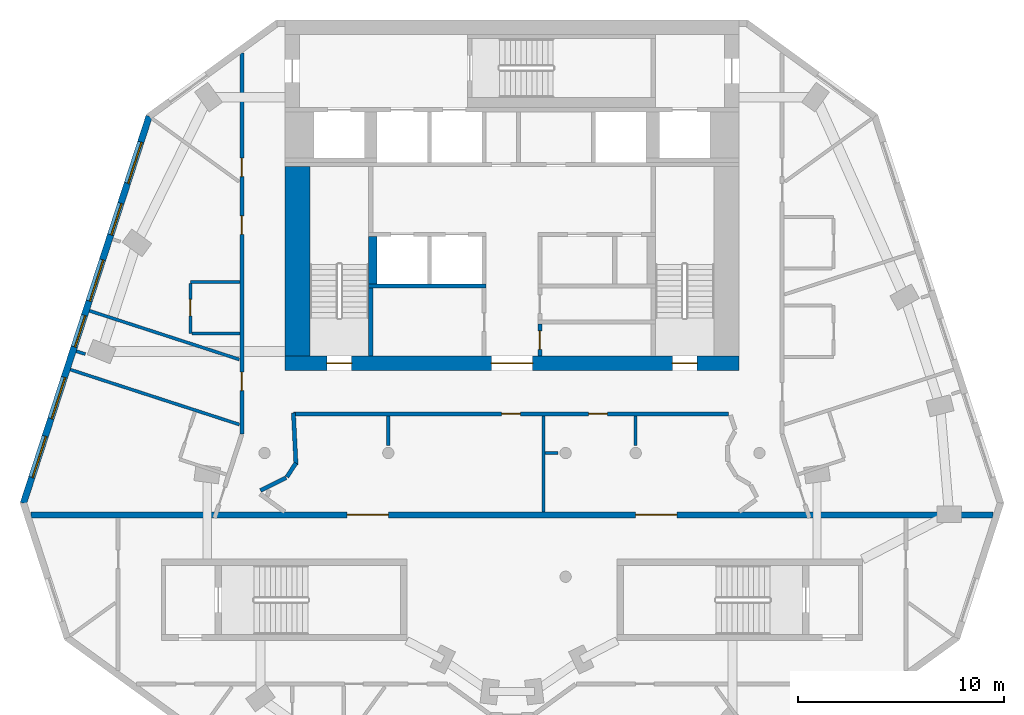
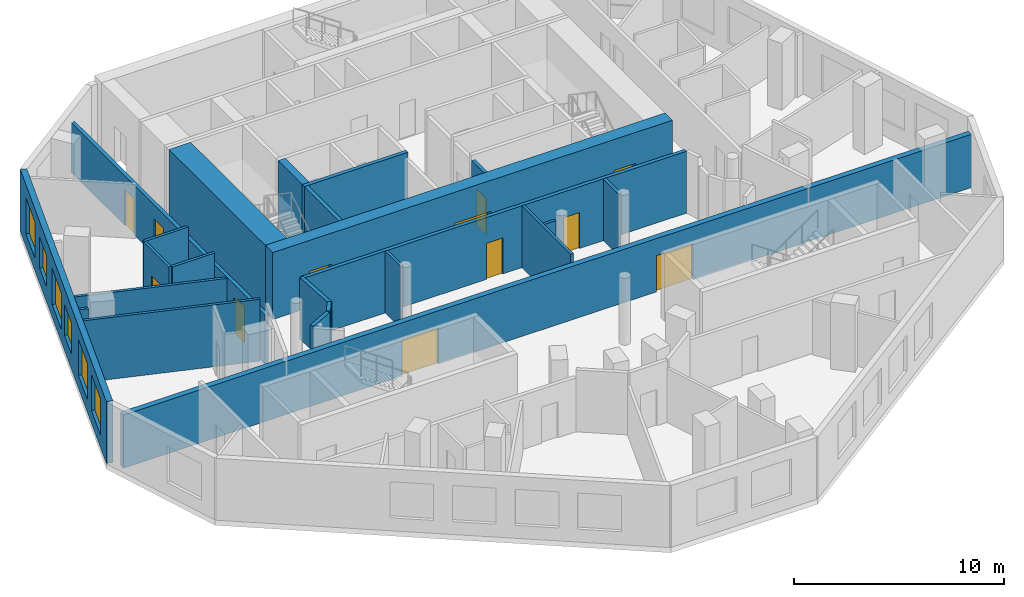
# One storey, part 3 of 9: 23 walls, 12 doors, 6 windows, 18 openings.
"""IFC4 building model written with IfcOpenShell, lengths in metres."""

import ifcopenshell
import ifcopenshell.guid

model = None  # the IFC model being written
_history = None  # IfcOwnerHistory: only IFC2X3 demands one
_inside = {}  # id of a spatial element -> (the spatial element, [elements in it])
_under = {}  # id of a project, library or spatial element -> (it, [spatial elements below it])
_declared = {}  # id of a project -> (the project, [libraries it declares])
_typed = {}  # id of a type object -> (the type object, [elements of that type])
_made_of = {}  # id of a material, layer set ... -> (it, [elements and type objects made of it])


def new_model(schema):
    """Start an empty IFC model of exactly this schema.

    Asked for "IFC4X3", IfcOpenShell would pick the latest addendum, in which some entities
    have other attributes; the version numbers below select the first issue.
    IFC2X3 requires an IfcOwnerHistory on every rooted entity: one is made here for all.
    """
    global model, _history
    if schema == "IFC4X3":
        model = ifcopenshell.file(schema_version=(4, 3, 0, 0))
    else:
        model = ifcopenshell.file(schema=schema)
    _inside.clear()
    _under.clear()
    _declared.clear()
    _typed.clear()
    _made_of.clear()
    _history = None
    if model.schema == "IFC2X3":
        org = make("IfcOrganization", Name="unknown")
        user = make(
            "IfcPersonAndOrganization",
            ThePerson=make("IfcPerson", FamilyName="unknown"),
            TheOrganization=org,
        )
        app = make(
            "IfcApplication",
            ApplicationDeveloper=org,
            Version="unknown",
            ApplicationFullName="unknown",
            ApplicationIdentifier="unknown",
        )
        _history = make(
            "IfcOwnerHistory",
            OwningUser=user,
            OwningApplication=app,
            ChangeAction="ADDED",
            CreationDate=0,
        )
    return model


def make(cls, **values):
    """One entity of the class cls with the attributes given. An attribute that is None is left unset."""
    return model.create_entity(
        cls, **{name: value for name, value in values.items() if value is not None}
    )


def rooted(cls, **values):
    """An entity with a GlobalId (a new one), such as an element, a storey or a relation."""
    return make(cls, GlobalId=ifcopenshell.guid.new(), OwnerHistory=_history, **values)


def si_unit(unit_type, name, prefix=None):
    """IfcSIUnit, for example si_unit("LENGTHUNIT", "METRE", prefix="MILLI")."""
    return make("IfcSIUnit", UnitType=unit_type, Prefix=prefix, Name=name)


def assignment(units):
    """IfcUnitAssignment: the units of a project."""
    return None if units is None else make("IfcUnitAssignment", Units=units)


def point(xyz):
    """IfcCartesianPoint."""
    return None if xyz is None else make("IfcCartesianPoint", Coordinates=xyz)


def direction(xyz):
    """IfcDirection."""
    return None if xyz is None else make("IfcDirection", DirectionRatios=xyz)


def frame(location, z_axis=None, x_axis=None):
    """IfcAxis2Placement3D, a coordinate frame: its origin and axes. An axis left out is left unset."""
    return make(
        "IfcAxis2Placement3D",
        Location=point(location),
        Axis=direction(z_axis),
        RefDirection=direction(x_axis),
    )


def frame_2d(location, x_axis=None):
    """IfcAxis2Placement2D, a coordinate frame in the plane: its origin and x axis."""
    return make(
        "IfcAxis2Placement2D", Location=point(location), RefDirection=direction(x_axis)
    )


def origin():
    """The frame at (0, 0, 0) with its axes left unset."""
    return frame((0.0, 0.0, 0.0))


def place(relative_to, where):
    """IfcLocalPlacement: puts the frame where relative to a parent placement (None: the world)."""
    return make(
        "IfcLocalPlacement", PlacementRelTo=relative_to, RelativePlacement=where
    )


def context(
    kind, dimensions, precision=None, world=None, true_north=None, identifier=None
):
    """IfcGeometricRepresentationContext, for example the 3D "Model" context."""
    return make(
        "IfcGeometricRepresentationContext",
        ContextIdentifier=identifier,
        ContextType=kind,
        CoordinateSpaceDimension=dimensions,
        Precision=precision,
        WorldCoordinateSystem=world,
        TrueNorth=true_north,
    )


def subcontext(parent, identifier, kind, view, scale=None):
    """IfcGeometricRepresentationSubContext, for example "Body" below "Model"."""
    return make(
        "IfcGeometricRepresentationSubContext",
        ContextIdentifier=identifier,
        ContextType=kind,
        ParentContext=parent,
        TargetScale=scale,
        TargetView=view,
    )


def project(units=None, contexts=None):
    """IfcProject with its units and contexts."""
    return rooted(
        "IfcProject",
        Name="project",
        RepresentationContexts=contexts,
        UnitsInContext=assignment(units),
    )


def spatial(cls, under=None, at=None, **own):
    """A site, building, storey or space (cls), placed at a placement, below another one or the project."""
    s = rooted(cls, ObjectPlacement=at, **own)
    if under is not None:
        _under.setdefault(under.id(), (under, []))[1].append(s)
    return s


def profile(cls, at=None, kind="AREA", **sizes):
    """A parametric profile (cls). Its sizes go by their IFC names, for example OverallWidth=200.0."""
    return make(cls, ProfileType=kind, Position=at, **sizes)


def rectangle(**sizes):
    """IfcRectangleProfileDef."""
    return profile("IfcRectangleProfileDef", **sizes)


def extrude(swept, where, along, depth):
    """IfcExtrudedAreaSolid: the profile swept, set in the frame where, extruded along a direction by depth."""
    return make(
        "IfcExtrudedAreaSolid",
        SweptArea=swept,
        Position=where,
        ExtrudedDirection=direction(along),
        Depth=depth,
    )


def shape(context_of_items, identifier, shape_type, items):
    """IfcShapeRepresentation: the items that make up one representation, for example the "Body"."""
    return make(
        "IfcShapeRepresentation",
        ContextOfItems=context_of_items,
        RepresentationIdentifier=identifier,
        RepresentationType=shape_type,
        Items=items,
    )


def material(Name=None, Category=None):
    """IfcMaterial."""
    return make("IfcMaterial", Name=Name, Category=Category)


def layer(
    of_material, thickness, ventilated=None, Name=None, Category=None, Priority=None
):
    """IfcMaterialLayer: one layer of a wall or slab, of a material (None: an air gap)."""
    return make(
        "IfcMaterialLayer",
        Material=of_material,
        LayerThickness=thickness,
        IsVentilated=ventilated,
        Name=Name,
        Category=Category,
        Priority=Priority,
    )


def layer_set(layers, Name=None):
    """IfcMaterialLayerSet."""
    return make("IfcMaterialLayerSet", MaterialLayers=layers, LayerSetName=Name)


def made_of(thing, what):
    """Note that an element or type object is made of a material, layer set ...; save() writes the relation."""
    if what is not None:
        _made_of.setdefault(what.id(), (what, []))[1].append(thing)
    return thing


def type_object(cls, material=None, **own):
    """A type object (cls), such as IfcWallType, which elements share."""
    return made_of(rooted(cls, **own), material)


def element(
    cls,
    number,
    at=None,
    inside=None,
    cuts=None,
    type_object=None,
    material=None,
    context=None,
    identifier="Body",
    shape_type=None,
    held_by="IfcProductDefinitionShape",
    body=None,
    shapes=None,
    **own,
):
    """One element of the class cls, such as IfcWall. Its Tag is "e" and its number.

    at: its placement. inside: the storey or other place that contains it. cuts: it is an
    opening in that element (IfcRelVoidsElement). A single representation is given by context,
    identifier, shape_type and body (its items); several are given by shapes. held_by: the class
    of the entity that holds the representations. save() writes the other relations.
    """
    e = rooted(cls, Tag="e%d" % number, ObjectPlacement=at, **own)
    if body is not None:
        shapes = [shape(context, identifier, shape_type, body)]
    if shapes is not None:
        e.Representation = make(held_by, Representations=shapes)
    if inside is not None:
        _inside.setdefault(inside.id(), (inside, []))[1].append(e)
    if cuts is not None:
        rooted(
            "IfcRelVoidsElement", RelatingBuildingElement=cuts, RelatedOpeningElement=e
        )
    if type_object is not None:
        _typed.setdefault(type_object.id(), (type_object, []))[1].append(e)
    return made_of(e, material)


def fill(opening, filler):
    """IfcRelFillsElement: the door or window that sits in an opening."""
    return rooted(
        "IfcRelFillsElement",
        RelatingOpeningElement=opening,
        RelatedBuildingElement=filler,
    )


def aggregate(whole, parts):
    """IfcRelAggregates: a whole, such as a stair, and the parts it consists of."""
    return rooted("IfcRelAggregates", RelatingObject=whole, RelatedObjects=parts)


def save(model, path):
    """Write the relations noted so far, then the file.

    IfcRelAggregates (storeys below a building ...), IfcRelContainedInSpatialStructure (elements
    in a storey), IfcRelDefinesByType, IfcRelAssociatesMaterial and IfcRelDeclares: one each for
    every whole, place, type object, material and project.
    """
    for whole, parts in _under.values():
        aggregate(whole, parts)
    for where, things in _inside.values():
        rooted(
            "IfcRelContainedInSpatialStructure",
            RelatedElements=things,
            RelatingStructure=where,
        )
    for kind, things in _typed.values():
        rooted("IfcRelDefinesByType", RelatedObjects=things, RelatingType=kind)
    for what, things in _made_of.values():
        rooted("IfcRelAssociatesMaterial", RelatedObjects=things, RelatingMaterial=what)
    for by, libraries in _declared.values():
        rooted("IfcRelDeclares", RelatingContext=by, RelatedDefinitions=libraries)
    model.write(path)


model = new_model("IFC4")

# Units and contexts
model_context = context("Model", 3, precision=1e-05, world=origin(), true_north=direction((0.0, 1.0)))
body_context = subcontext(model_context, "Body", "Model", "MODEL_VIEW")
ifc_project = project(units=[si_unit("LENGTHUNIT", "METRE"), si_unit("AREAUNIT", "SQUARE_METRE"), si_unit("VOLUMEUNIT", "CUBIC_METRE"), si_unit("PLANEANGLEUNIT", "RADIAN"), si_unit("MASSUNIT", "GRAM", prefix="KILO")], contexts=[model_context])

# Site, building, storey
site_placement = place(None, origin())
site = spatial("IfcSite", under=ifc_project, at=site_placement, CompositionType="ELEMENT")
building_placement = place(site_placement, origin())
building = spatial("IfcBuilding", under=site, at=building_placement, Name="White Candle Pilgrim Tower", CompositionType="ELEMENT")
storey_placement = place(building_placement, frame((0.0, 0.0, 252.199951171875)))
storey = spatial("IfcBuildingStorey", under=building, at=storey_placement, Name="L59", CompositionType="ELEMENT", Elevation=252.199951171875)

# Wall, openings, doors
ifc_material_1 = material(Name="Gypsum board on steel studs", Category="steel")
ifc_layer_1 = layer(ifc_material_1, 0.199951171875)
ifc_layer_set_1 = layer_set([ifc_layer_1], Name="Corridor wall 200 mm EI 45")
wall_type_1 = type_object("IfcWallType", Name="Corridor wall 200 mm EI 45", PredefinedType="PARTITIONING", material=ifc_layer_set_1)
wall_1_placement = place(storey_placement, frame((56.89990234375, 67.928466796875, 0.0), z_axis=(0.0, 0.0, 1.0), x_axis=(0.0, 1.0, 0.0)))
wall_1 = element("IfcWall", 1, at=wall_1_placement, inside=storey, type_object=wall_type_1, Name="WL-L59-P003", PredefinedType="PARTITIONING", context=body_context, shape_type="SweptSolid", body=[
    extrude(rectangle(XDim=18.4677734375, YDim=0.199951171875, at=frame_2d((9.23388671875, 0.0))), origin(), (0.0, 0.0, 1.0), 2.900146484375),
])
opening_1_placement = place(wall_1_placement, frame((2.0947265625, 0.0, 0.0)))
opening_1 = element("IfcOpeningElement", 2, at=opening_1_placement, cuts=wall_1, Name="Opening T18-118", PredefinedType="OPENING", context=body_context, shape_type="SweptSolid", body=[
    extrude(rectangle(XDim=0.89990234375, YDim=2.10009765625, at=frame_2d((0.449951171875, 1.050048828125))), frame((0.0, 0.10986328125, 0.0), z_axis=(0.0, -1.0, 0.0), x_axis=(1.0, 0.0, 0.0)), (0.0, 0.0, 1.0), 0.219970703125),
])
opening_2_placement = place(wall_1_placement, frame((9.6767578125, 0.0, 0.0)))
opening_2 = element("IfcOpeningElement", 3, at=opening_2_placement, cuts=wall_1, Name="Opening T18-119", PredefinedType="OPENING", context=body_context, shape_type="SweptSolid", body=[
    extrude(rectangle(XDim=0.89990234375, YDim=2.10009765625, at=frame_2d((0.449951171875, 1.050048828125))), frame((0.0, 0.10986328125, 0.0), z_axis=(0.0, -1.0, 0.0), x_axis=(1.0, 0.0, 0.0)), (0.0, 0.0, 1.0), 0.219970703125),
])
opening_3_placement = place(wall_1_placement, frame((12.4775390625, 0.0, 0.0)))
opening_3 = element("IfcOpeningElement", 4, at=opening_3_placement, cuts=wall_1, Name="Opening T18-120", PredefinedType="OPENING", context=body_context, shape_type="SweptSolid", body=[
    extrude(rectangle(XDim=0.89990234375, YDim=2.10009765625, at=frame_2d((0.449951171875, 1.050048828125))), frame((0.0, 0.10986328125, 0.0), z_axis=(0.0, -1.0, 0.0), x_axis=(1.0, 0.0, 0.0)), (0.0, 0.0, 1.0), 0.219970703125),
])
ifc_material_2 = material(Name="Steel door leaf", Category="steel")
door_type_1 = type_object("IfcDoorType", Name="Fire door 900 x 2100 EI 30", OperationType="NOTDEFINED", PredefinedType="DOOR", material=ifc_material_2)
door_1_placement = place(opening_1_placement, origin())
door_1 = element("IfcDoor", 5, at=door_1_placement, inside=storey, type_object=door_type_1, Name="Door T18-118", OperationType="SINGLE_SWING_RIGHT", OverallHeight=2.10009765625, OverallWidth=0.89990234375, PredefinedType="DOOR", context=body_context, shape_type="SweptSolid", body=[
    extrude(rectangle(XDim=0.89990234375, YDim=2.10009765625, at=frame_2d((0.449951171875, 1.050048828125))), frame((0.0, 0.02490234375, 0.0), z_axis=(0.0, -1.0, 0.0), x_axis=(1.0, 0.0, 0.0)), (0.0, 0.0, 1.0), 0.050048828125),
])
fill(opening_1, door_1)
door_2_placement = place(opening_2_placement, origin())
door_2 = element("IfcDoor", 6, at=door_2_placement, inside=storey, type_object=door_type_1, Name="Door T18-119", OperationType="SINGLE_SWING_LEFT", OverallHeight=2.10009765625, OverallWidth=0.89990234375, PredefinedType="DOOR", context=body_context, shape_type="SweptSolid", body=[
    extrude(rectangle(XDim=0.89990234375, YDim=2.10009765625, at=frame_2d((0.449951171875, 1.050048828125))), frame((0.0, 0.02490234375, 0.0), z_axis=(0.0, -1.0, 0.0), x_axis=(1.0, 0.0, 0.0)), (0.0, 0.0, 1.0), 0.050048828125),
])
fill(opening_2, door_2)
door_3_placement = place(opening_3_placement, origin())
door_3 = element("IfcDoor", 7, at=door_3_placement, inside=storey, type_object=door_type_1, Name="Door T18-120", OperationType="SINGLE_SWING_RIGHT", OverallHeight=2.10009765625, OverallWidth=0.89990234375, PredefinedType="DOOR", context=body_context, shape_type="SweptSolid", body=[
    extrude(rectangle(XDim=0.89990234375, YDim=2.10009765625, at=frame_2d((0.449951171875, 1.050048828125))), frame((0.0, 0.02490234375, 0.0), z_axis=(0.0, -1.0, 0.0), x_axis=(1.0, 0.0, 0.0)), (0.0, 0.0, 1.0), 0.050048828125),
])
fill(opening_3, door_3)

wall_2_placement = place(storey_placement, frame((80.498291015625, 68.89990234375, 0.0), z_axis=(0.0, 0.0, 1.0), x_axis=(-1.0, 0.0, 0.0)))
wall_2 = element("IfcWall", 8, at=wall_2_placement, inside=storey, type_object=wall_type_1, Name="WL-L59-P018", PredefinedType="PARTITIONING", context=body_context, shape_type="SweptSolid", body=[
    extrude(rectangle(XDim=21.09521484375, YDim=0.199951171875, at=frame_2d((10.547607421875, 0.0))), origin(), (0.0, 0.0, 1.0), 3.60009765625),
])
opening_4_placement = place(wall_2_placement, frame((5.878662109375, 0.0, 0.0)))
opening_4 = element("IfcOpeningElement", 9, at=opening_4_placement, cuts=wall_2, Name="Opening T18-125", PredefinedType="OPENING", context=body_context, shape_type="SweptSolid", body=[
    extrude(rectangle(XDim=0.89990234375, YDim=2.10009765625, at=frame_2d((0.449951171875, 1.050048828125))), frame((0.0, 0.10986328125, 0.0), z_axis=(0.0, -1.0, 0.0), x_axis=(1.0, 0.0, 0.0)), (0.0, 0.0, 1.0), 0.219970703125),
])
opening_5_placement = place(wall_2_placement, frame((10.09765625, 0.0, 0.0)))
opening_5 = element("IfcOpeningElement", 10, at=opening_5_placement, cuts=wall_2, Name="Opening T18-126", PredefinedType="OPENING", context=body_context, shape_type="SweptSolid", body=[
    extrude(rectangle(XDim=0.89990234375, YDim=2.10009765625, at=frame_2d((0.449951171875, 1.050048828125))), frame((0.0, 0.10986328125, 0.0), z_axis=(0.0, -1.0, 0.0), x_axis=(1.0, 0.0, 0.0)), (0.0, 0.0, 1.0), 0.219970703125),
])
door_4_placement = place(opening_4_placement, origin())
door_4 = element("IfcDoor", 11, at=door_4_placement, inside=storey, type_object=door_type_1, Name="Door T18-125", OperationType="SINGLE_SWING_LEFT", OverallHeight=2.10009765625, OverallWidth=0.89990234375, PredefinedType="DOOR", context=body_context, shape_type="SweptSolid", body=[
    extrude(rectangle(XDim=0.89990234375, YDim=2.10009765625, at=frame_2d((0.449951171875, 1.050048828125))), frame((0.0, 0.02490234375, 0.0), z_axis=(0.0, -1.0, 0.0), x_axis=(1.0, 0.0, 0.0)), (0.0, 0.0, 1.0), 0.050048828125),
])
fill(opening_4, door_4)
door_5_placement = place(opening_5_placement, origin())
door_5 = element("IfcDoor", 12, at=door_5_placement, inside=storey, type_object=door_type_1, Name="Door T18-126", OperationType="SINGLE_SWING_RIGHT", OverallHeight=2.10009765625, OverallWidth=0.89990234375, PredefinedType="DOOR", context=body_context, shape_type="SweptSolid", body=[
    extrude(rectangle(XDim=0.89990234375, YDim=2.10009765625, at=frame_2d((0.449951171875, 1.050048828125))), frame((0.0, 0.02490234375, 0.0), z_axis=(0.0, -1.0, 0.0), x_axis=(1.0, 0.0, 0.0)), (0.0, 0.0, 1.0), 0.050048828125),
])
fill(opening_5, door_5)

# Walls
wall_3_placement = place(storey_placement, frame((59.400634765625, 68.95068359375, 0.0), z_axis=(0.0, 0.0, 1.0), x_axis=(0.04896364113, -0.998800561597, 0.0)))
element("IfcWall", 13, at=wall_3_placement, inside=storey, type_object=wall_type_1, Name="WL-L59-P019", PredefinedType="PARTITIONING", context=body_context, shape_type="SweptSolid", body=[
    extrude(rectangle(XDim=2.537841796875, YDim=0.199951171875, at=frame_2d((1.26904296875, 0.0))), origin(), (0.0, 0.0, 1.0), 3.60009765625),
])
wall_4_placement = place(storey_placement, frame((59.52001953125, 66.5126953125, 0.0), z_axis=(0.0, 0.0, 1.0), x_axis=(-0.543705102189, -0.839276332238, 0.0)))
element("IfcWall", 14, at=wall_4_placement, inside=storey, type_object=wall_type_1, Name="WL-L59-P020", PredefinedType="PARTITIONING", context=body_context, shape_type="SweptSolid", body=[
    extrude(rectangle(XDim=0.802978515625, YDim=0.199951171875, at=frame_2d((0.4013671875, 0.0))), origin(), (0.0, 0.0, 1.0), 3.60009765625),
])
wall_5_placement = place(storey_placement, frame((59.044189453125, 65.8037109375, 0.0), z_axis=(0.0, 0.0, 1.0), x_axis=(-0.894883208543, -0.44630039555, 0.0)))
element("IfcWall", 15, at=wall_5_placement, inside=storey, type_object=wall_type_1, Name="WL-L59-P021", PredefinedType="PARTITIONING", context=body_context, shape_type="SweptSolid", body=[
    extrude(rectangle(XDim=1.390625, YDim=0.199951171875, at=frame_2d((0.6953125, 0.0))), origin(), (0.0, 0.0, 1.0), 3.60009765625),
])

# Wall, openings, windows
ifc_material_3 = material(Name="Precast concrete C40/50", Category="concrete")
ifc_layer_2 = layer(ifc_material_3, 0.320068359375)
ifc_layer_set_2 = layer_set([ifc_layer_2], Name="Facade wall EW1 precast concrete C40/50 pier wall with timber-lined reveals")
wall_type_2 = type_object("IfcWallType", Name="Facade wall EW1 precast concrete C40/50 pier wall with timber-lined reveals", PredefinedType="SOLIDWALL", material=ifc_layer_set_2)
wall_6_placement = place(storey_placement, frame((52.4033203125, 83.326904296875, 0.0), z_axis=(0.0, 0.0, 1.0), x_axis=(-0.309025614403, -0.951053715435, 0.0)))
wall_6 = element("IfcWall", 16, at=wall_6_placement, inside=storey, type_object=wall_type_2, Name="Facade wall L59 WNW", PredefinedType="SOLIDWALL", context=body_context, shape_type="SweptSolid", body=[
    extrude(rectangle(XDim=19.72314453125, YDim=0.320068359375, at=frame_2d((9.861572265625, 0.0))), origin(), (0.0, 0.0, 1.0), 3.60009765625),
])
opening_6_placement = place(wall_6_placement, frame((1.3115234375, 0.0, 0.75)))
opening_6 = element("IfcOpeningElement", 17, at=opening_6_placement, cuts=wall_6, Name="Opening W3", PredefinedType="OPENING", context=body_context, shape_type="SweptSolid", body=[
    extrude(rectangle(XDim=2.10009765625, YDim=2.10009765625, at=frame_2d((1.050048828125, 1.050048828125))), frame((0.0, 0.169921875, 0.0), z_axis=(0.0, -1.0, 0.0), x_axis=(1.0, 0.0, 0.0)), (0.0, 0.0, 1.0), 0.340087890625),
])
opening_7_placement = place(wall_6_placement, frame((4.439208984375, 0.0, 0.89990234375)))
opening_7 = element("IfcOpeningElement", 18, at=opening_7_placement, cuts=wall_6, Name="Opening W2", PredefinedType="OPENING", context=body_context, shape_type="SweptSolid", body=[
    extrude(rectangle(XDim=1.60009765625, YDim=1.800048828125, at=frame_2d((0.800048828125, 0.89990234375))), frame((0.0, 0.169921875, 0.0), z_axis=(0.0, -1.0, 0.0), x_axis=(1.0, 0.0, 0.0)), (0.0, 0.0, 1.0), 0.340087890625),
])
opening_8_placement = place(wall_6_placement, frame((7.3115234375, 0.0, 0.75)))
opening_8 = element("IfcOpeningElement", 19, at=opening_8_placement, cuts=wall_6, Name="Opening W3", PredefinedType="OPENING", context=body_context, shape_type="SweptSolid", body=[
    extrude(rectangle(XDim=2.10009765625, YDim=2.10009765625, at=frame_2d((1.050048828125, 1.050048828125))), frame((0.0, 0.169921875, 0.0), z_axis=(0.0, -1.0, 0.0), x_axis=(1.0, 0.0, 0.0)), (0.0, 0.0, 1.0), 0.340087890625),
])
opening_9_placement = place(wall_6_placement, frame((10.14794921875, 0.0, 0.89990234375)))
opening_9 = element("IfcOpeningElement", 20, at=opening_9_placement, cuts=wall_6, Name="Opening W2", PredefinedType="OPENING", context=body_context, shape_type="SweptSolid", body=[
    extrude(rectangle(XDim=1.60009765625, YDim=1.800048828125, at=frame_2d((0.800048828125, 0.89990234375))), frame((0.0, 0.169921875, 0.0), z_axis=(0.0, -1.0, 0.0), x_axis=(1.0, 0.0, 0.0)), (0.0, 0.0, 1.0), 0.340087890625),
])
opening_10_placement = place(wall_6_placement, frame((13.3115234375, 0.0, 0.75)))
opening_10 = element("IfcOpeningElement", 21, at=opening_10_placement, cuts=wall_6, Name="Opening W3", PredefinedType="OPENING", context=body_context, shape_type="SweptSolid", body=[
    extrude(rectangle(XDim=2.10009765625, YDim=2.10009765625, at=frame_2d((1.050048828125, 1.050048828125))), frame((0.0, 0.169921875, 0.0), z_axis=(0.0, -1.0, 0.0), x_axis=(1.0, 0.0, 0.0)), (0.0, 0.0, 1.0), 0.340087890625),
])
opening_11_placement = place(wall_6_placement, frame((16.3115234375, 0.0, 0.75)))
opening_11 = element("IfcOpeningElement", 22, at=opening_11_placement, cuts=wall_6, Name="Opening W3", PredefinedType="OPENING", context=body_context, shape_type="SweptSolid", body=[
    extrude(rectangle(XDim=2.10009765625, YDim=2.10009765625, at=frame_2d((1.050048828125, 1.050048828125))), frame((0.0, 0.169921875, 0.0), z_axis=(0.0, -1.0, 0.0), x_axis=(1.0, 0.0, 0.0)), (0.0, 0.0, 1.0), 0.340087890625),
])
ifc_material_4 = material(Name="Timber frame with triple glazing", Category="wood")
window_type_1 = type_object("IfcWindowType", Name="Window W2 1600x1800 timber frame triple glazing", PartitioningType="SINGLE_PANEL", PredefinedType="WINDOW", material=ifc_material_4)
window_1_placement = place(opening_7_placement, origin())
window_1 = element("IfcWindow", 23, at=window_1_placement, inside=storey, type_object=window_type_1, Name="Window W2 L59 WNW 2", OverallHeight=1.800048828125, OverallWidth=1.60009765625, PartitioningType="SINGLE_PANEL", PredefinedType="WINDOW", context=body_context, shape_type="SweptSolid", body=[
    extrude(rectangle(XDim=1.60009765625, YDim=1.800048828125, at=frame_2d((0.800048828125, 0.89990234375))), frame((0.0, 0.070068359375, 0.0), z_axis=(0.0, -1.0, 0.0), x_axis=(1.0, 0.0, 0.0)), (0.0, 0.0, 1.0), 0.06005859375),
])
fill(opening_7, window_1)
window_2_placement = place(opening_9_placement, origin())
window_2 = element("IfcWindow", 24, at=window_2_placement, inside=storey, type_object=window_type_1, Name="Window W2 L59 WNW 4", OverallHeight=1.800048828125, OverallWidth=1.60009765625, PartitioningType="SINGLE_PANEL", PredefinedType="WINDOW", context=body_context, shape_type="SweptSolid", body=[
    extrude(rectangle(XDim=1.60009765625, YDim=1.800048828125, at=frame_2d((0.800048828125, 0.89990234375))), frame((0.0, 0.070068359375, 0.0), z_axis=(0.0, -1.0, 0.0), x_axis=(1.0, 0.0, 0.0)), (0.0, 0.0, 1.0), 0.06005859375),
])
fill(opening_9, window_2)
window_type_2 = type_object("IfcWindowType", Name="Window W3 2100x2100 timber frame triple glazing", PartitioningType="SINGLE_PANEL", PredefinedType="WINDOW", material=ifc_material_4)
window_3_placement = place(opening_6_placement, origin())
window_3 = element("IfcWindow", 25, at=window_3_placement, inside=storey, type_object=window_type_2, Name="Window W3 L59 WNW 1", OverallHeight=2.10009765625, OverallWidth=2.10009765625, PartitioningType="SINGLE_PANEL", PredefinedType="WINDOW", context=body_context, shape_type="SweptSolid", body=[
    extrude(rectangle(XDim=2.10009765625, YDim=2.10009765625, at=frame_2d((1.050048828125, 1.050048828125))), frame((0.0, 0.070068359375, 0.0), z_axis=(0.0, -1.0, 0.0), x_axis=(1.0, 0.0, 0.0)), (0.0, 0.0, 1.0), 0.06005859375),
])
fill(opening_6, window_3)
window_4_placement = place(opening_8_placement, origin())
window_4 = element("IfcWindow", 26, at=window_4_placement, inside=storey, type_object=window_type_2, Name="Window W3 L59 WNW 3", OverallHeight=2.10009765625, OverallWidth=2.10009765625, PartitioningType="SINGLE_PANEL", PredefinedType="WINDOW", context=body_context, shape_type="SweptSolid", body=[
    extrude(rectangle(XDim=2.10009765625, YDim=2.10009765625, at=frame_2d((1.050048828125, 1.050048828125))), frame((0.0, 0.070068359375, 0.0), z_axis=(0.0, -1.0, 0.0), x_axis=(1.0, 0.0, 0.0)), (0.0, 0.0, 1.0), 0.06005859375),
])
fill(opening_8, window_4)
window_5_placement = place(opening_10_placement, origin())
window_5 = element("IfcWindow", 27, at=window_5_placement, inside=storey, type_object=window_type_2, Name="Window W3 L59 WNW 5", OverallHeight=2.10009765625, OverallWidth=2.10009765625, PartitioningType="SINGLE_PANEL", PredefinedType="WINDOW", context=body_context, shape_type="SweptSolid", body=[
    extrude(rectangle(XDim=2.10009765625, YDim=2.10009765625, at=frame_2d((1.050048828125, 1.050048828125))), frame((0.0, 0.070068359375, 0.0), z_axis=(0.0, -1.0, 0.0), x_axis=(1.0, 0.0, 0.0)), (0.0, 0.0, 1.0), 0.06005859375),
])
fill(opening_10, window_5)
window_6_placement = place(opening_11_placement, origin())
window_6 = element("IfcWindow", 28, at=window_6_placement, inside=storey, type_object=window_type_2, Name="Window W3 L59 WNW 6", OverallHeight=2.10009765625, OverallWidth=2.10009765625, PartitioningType="SINGLE_PANEL", PredefinedType="WINDOW", context=body_context, shape_type="SweptSolid", body=[
    extrude(rectangle(XDim=2.10009765625, YDim=2.10009765625, at=frame_2d((1.050048828125, 1.050048828125))), frame((0.0, 0.070068359375, 0.0), z_axis=(0.0, -1.0, 0.0), x_axis=(1.0, 0.0, 0.0)), (0.0, 0.0, 1.0), 0.06005859375),
])
fill(opening_11, window_6)

# Wall, openings, doors
ifc_material_5 = material(Name="Aerated concrete block", Category="concrete")
ifc_layer_3 = layer(ifc_material_5, 0.300048828125)
ifc_layer_set_3 = layer_set([ifc_layer_3], Name="Fire wall 300 mm REI 240")
wall_type_3 = type_object("IfcWallType", Name="Fire wall 300 mm REI 240", PredefinedType="PARTITIONING", material=ifc_layer_set_3)
wall_7_placement = place(storey_placement, frame((46.66162109375, 64.0, 0.0), z_axis=(0.0, 0.0, 1.0), x_axis=(1.0, 0.0, 0.0)))
wall_7 = element("IfcWall", 29, at=wall_7_placement, inside=storey, type_object=wall_type_3, Name="WL-L59-P001", PredefinedType="PARTITIONING", context=body_context, shape_type="SweptSolid", body=[
    extrude(rectangle(XDim=46.6767578125, YDim=0.300048828125, at=frame_2d((23.33837890625, 0.0))), origin(), (0.0, 0.0, 1.0), 3.10009765625),
])
opening_12_placement = place(wall_7_placement, frame((15.337646484375, 0.0, 0.0)))
opening_12 = element("IfcOpeningElement", 30, at=opening_12_placement, cuts=wall_7, Name="Opening T18-115", PredefinedType="OPENING", context=body_context, shape_type="SweptSolid", body=[
    extrude(rectangle(XDim=2.0, YDim=2.10009765625, at=frame_2d((1.0, 1.050048828125))), frame((0.0, 0.159912109375, 0.0), z_axis=(0.0, -1.0, 0.0), x_axis=(1.0, 0.0, 0.0)), (0.0, 0.0, 1.0), 0.320068359375),
])
opening_13_placement = place(wall_7_placement, frame((29.339111328125, 0.0, 0.0)))
opening_13 = element("IfcOpeningElement", 31, at=opening_13_placement, cuts=wall_7, Name="Opening T18-116", PredefinedType="OPENING", context=body_context, shape_type="SweptSolid", body=[
    extrude(rectangle(XDim=2.0, YDim=2.10009765625, at=frame_2d((1.0, 1.050048828125))), frame((0.0, 0.159912109375, 0.0), z_axis=(0.0, -1.0, 0.0), x_axis=(1.0, 0.0, 0.0)), (0.0, 0.0, 1.0), 0.320068359375),
])
door_type_2 = type_object("IfcDoorType", Name="Fire door 2000 x 2100 EI 60", OperationType="NOTDEFINED", PredefinedType="DOOR", material=ifc_material_2)
door_6_placement = place(opening_12_placement, origin())
door_6 = element("IfcDoor", 32, at=door_6_placement, inside=storey, type_object=door_type_2, Name="Door T18-115", OperationType="DOUBLE_DOOR_SINGLE_SWING", OverallHeight=2.10009765625, OverallWidth=2.0, PredefinedType="DOOR", context=body_context, shape_type="SweptSolid", body=[
    extrude(rectangle(XDim=2.0, YDim=2.10009765625, at=frame_2d((1.0, 1.050048828125))), frame((0.0, 0.02490234375, 0.0), z_axis=(0.0, -1.0, 0.0), x_axis=(1.0, 0.0, 0.0)), (0.0, 0.0, 1.0), 0.050048828125),
])
fill(opening_12, door_6)
door_7_placement = place(opening_13_placement, origin())
door_7 = element("IfcDoor", 33, at=door_7_placement, inside=storey, type_object=door_type_2, Name="Door T18-116", OperationType="DOUBLE_DOOR_SINGLE_SWING", OverallHeight=2.10009765625, OverallWidth=2.0, PredefinedType="DOOR", context=body_context, shape_type="SweptSolid", body=[
    extrude(rectangle(XDim=2.0, YDim=2.10009765625, at=frame_2d((1.0, 1.050048828125))), frame((0.0, 0.02490234375, 0.0), z_axis=(0.0, -1.0, 0.0), x_axis=(1.0, 0.0, 0.0)), (0.0, 0.0, 1.0), 0.050048828125),
])
fill(opening_13, door_7)

# Wall, opening, door
ifc_layer_4 = layer(ifc_material_1, 0.199951171875)
ifc_layer_set_4 = layer_set([ifc_layer_4], Name="Lobby wall 200 mm EI 60")
wall_type_4 = type_object("IfcWallType", Name="Lobby wall 200 mm EI 60", PredefinedType="PARTITIONING", material=ifc_layer_set_4)
wall_8_placement = place(storey_placement, frame((71.35009765625, 71.699951171875, 0.0), z_axis=(0.0, 0.0, 1.0), x_axis=(0.0, 1.0, 0.0)))
wall_8 = element("IfcWall", 34, at=wall_8_placement, inside=storey, type_object=wall_type_4, Name="WL-L59-C15", PredefinedType="PARTITIONING", context=body_context, shape_type="SweptSolid", body=[
    extrude(rectangle(XDim=1.550048828125, YDim=0.199951171875, at=frame_2d((0.77490234375, 0.0))), origin(), (0.0, 0.0, 1.0), 3.60009765625),
])
opening_14_placement = place(wall_8_placement, frame((0.324951171875, 0.0, 0.0)))
opening_14 = element("IfcOpeningElement", 35, at=opening_14_placement, cuts=wall_8, Name="Opening T18-006", PredefinedType="OPENING", context=body_context, shape_type="SweptSolid", body=[
    extrude(rectangle(XDim=0.89990234375, YDim=2.10009765625, at=frame_2d((0.449951171875, 1.050048828125))), frame((0.0, 0.10986328125, 0.0), z_axis=(0.0, -1.0, 0.0), x_axis=(1.0, 0.0, 0.0)), (0.0, 0.0, 1.0), 0.219970703125),
])
door_8_placement = place(opening_14_placement, origin())
door_8 = element("IfcDoor", 36, at=door_8_placement, inside=storey, type_object=door_type_1, Name="Door T18-006", OperationType="SINGLE_SWING_RIGHT", OverallHeight=2.10009765625, OverallWidth=0.89990234375, PredefinedType="DOOR", context=body_context, shape_type="SweptSolid", body=[
    extrude(rectangle(XDim=0.89990234375, YDim=2.10009765625, at=frame_2d((0.449951171875, 1.050048828125))), frame((0.0, 0.02490234375, 0.0), z_axis=(0.0, -1.0, 0.0), x_axis=(1.0, 0.0, 0.0)), (0.0, 0.0, 1.0), 0.050048828125),
])
fill(opening_14, door_8)

# Walls
ifc_layer_5 = layer(ifc_material_1, 0.14990234375)
ifc_layer_set_5 = layer_set([ifc_layer_5], Name="Partition 150 mm EI 60")
wall_type_5 = type_object("IfcWallType", Name="Partition 150 mm EI 60", PredefinedType="PARTITIONING", material=ifc_layer_set_5)
wall_9_placement = place(storey_placement, frame((49.508056640625, 73.898681640625, 0.0), z_axis=(0.0, 0.0, 1.0), x_axis=(0.951054958968, -0.309021787293, 0.0)))
element("IfcWall", 37, at=wall_9_placement, inside=storey, type_object=wall_type_5, Name="WL-L59-P031", PredefinedType="PARTITIONING", context=body_context, shape_type="SweptSolid", body=[
    extrude(rectangle(XDim=7.642822265625, YDim=0.14990234375, at=frame_2d((3.8212890625, 0.0))), origin(), (0.0, 0.0, 1.0), 2.900146484375),
])
wall_10_placement = place(storey_placement, frame((48.5810546875, 71.04541015625, 0.0), z_axis=(0.0, 0.0, 1.0), x_axis=(0.951052804469, -0.309028417967, 0.0)))
element("IfcWall", 38, at=wall_10_placement, inside=storey, type_object=wall_type_5, Name="WL-L59-P032", PredefinedType="PARTITIONING", context=body_context, shape_type="SweptSolid", body=[
    extrude(rectangle(XDim=8.61767578125, YDim=0.14990234375, at=frame_2d((4.308837890625, 0.0))), origin(), (0.0, 0.0, 1.0), 3.60009765625),
])
wall_11_placement = place(storey_placement, frame((56.800048828125, 75.296875, 0.0), z_axis=(0.0, 0.0, 1.0), x_axis=(-1.0, 0.0, 0.0)))
element("IfcWall", 39, at=wall_11_placement, inside=storey, type_object=wall_type_5, Name="WL-L59-P033", PredefinedType="PARTITIONING", context=body_context, shape_type="SweptSolid", body=[
    extrude(rectangle(XDim=2.400146484375, YDim=0.14990234375, at=frame_2d((1.2001953125, 0.0))), origin(), (0.0, 0.0, 1.0), 3.60009765625),
])

# Wall, opening, door
wall_12_placement = place(storey_placement, frame((54.39990234375, 72.796875, 0.0), z_axis=(0.0, 0.0, 1.0), x_axis=(0.0, 1.0, 0.0)))
wall_12 = element("IfcWall", 40, at=wall_12_placement, inside=storey, type_object=wall_type_5, Name="WL-L59-P034", PredefinedType="PARTITIONING", context=body_context, shape_type="SweptSolid", body=[
    extrude(rectangle(XDim=2.4248046875, YDim=0.14990234375, at=frame_2d((1.21240234375, 0.0))), origin(), (0.0, 0.0, 1.0), 3.60009765625),
])
opening_15_placement = place(wall_12_placement, frame((0.85009765625, 0.0, 0.0)))
opening_15 = element("IfcOpeningElement", 41, at=opening_15_placement, cuts=wall_12, Name="Opening T18-101", PredefinedType="OPENING", context=body_context, shape_type="SweptSolid", body=[
    extrude(rectangle(XDim=0.800048828125, YDim=2.10009765625, at=frame_2d((0.39990234375, 1.050048828125))), frame((0.0, 0.0849609375, 0.0), z_axis=(0.0, -1.0, 0.0), x_axis=(1.0, 0.0, 0.0)), (0.0, 0.0, 1.0), 0.169921875),
])
door_type_3 = type_object("IfcDoorType", Name="Fire door 800 x 2100 EI 30", OperationType="NOTDEFINED", PredefinedType="DOOR", material=ifc_material_2)
door_9_placement = place(opening_15_placement, origin())
door_9 = element("IfcDoor", 42, at=door_9_placement, inside=storey, type_object=door_type_3, Name="Door T18-101", OperationType="SINGLE_SWING_LEFT", OverallHeight=2.10009765625, OverallWidth=0.800048828125, PredefinedType="DOOR", context=body_context, shape_type="SweptSolid", body=[
    extrude(rectangle(XDim=0.800048828125, YDim=2.10009765625, at=frame_2d((0.39990234375, 1.050048828125))), frame((0.0, 0.02490234375, 0.0), z_axis=(0.0, -1.0, 0.0), x_axis=(1.0, 0.0, 0.0)), (0.0, 0.0, 1.0), 0.050048828125),
])
fill(opening_15, door_9)

# Walls
wall_13_placement = place(storey_placement, frame((56.800048828125, 72.796875, 0.0), z_axis=(0.0, 0.0, 1.0), x_axis=(-1.0, 0.0, 0.0)))
element("IfcWall", 43, at=wall_13_placement, inside=storey, type_object=wall_type_5, Name="WL-L59-P035", PredefinedType="PARTITIONING", context=body_context, shape_type="SweptSolid", body=[
    extrude(rectangle(XDim=2.324951171875, YDim=0.14990234375, at=frame_2d((1.16259765625, 0.0))), origin(), (0.0, 0.0, 1.0), 3.60009765625),
])
wall_14_placement = place(storey_placement, frame((71.51904296875, 64.14990234375, 0.0), z_axis=(0.0, 0.0, 1.0), x_axis=(0.0, 1.0, 0.0)))
element("IfcWall", 44, at=wall_14_placement, inside=storey, type_object=wall_type_5, Name="WL-L59-P055", PredefinedType="PARTITIONING", context=body_context, shape_type="SweptSolid", body=[
    extrude(rectangle(XDim=4.650146484375, YDim=0.14990234375, at=frame_2d((2.3251953125, 0.0))), origin(), (0.0, 0.0, 1.0), 3.60009765625),
])
wall_15_placement = place(storey_placement, frame((49.308349609375, 71.7958984375, 0.0), z_axis=(0.0, 0.0, 1.0), x_axis=(-0.951045774968, 0.309050050827, 0.0)))
element("IfcWall", 45, at=wall_15_placement, inside=storey, type_object=wall_type_5, Name="WL-L59-P060", PredefinedType="PARTITIONING", context=body_context, shape_type="SweptSolid", body=[
    extrude(rectangle(XDim=0.459716796875, YDim=0.14990234375, at=frame_2d((0.22998046875, 0.0))), origin(), (0.0, 0.0, 1.0), 3.60009765625),
])
wall_16_placement = place(storey_placement, frame((63.997802734375, 67.364990234375, 0.0), z_axis=(0.0, 0.0, 1.0), x_axis=(0.0, 1.0, 0.0)))
element("IfcWall", 46, at=wall_16_placement, inside=storey, type_object=wall_type_5, Name="WL-L59-P061", PredefinedType="PARTITIONING", context=body_context, shape_type="SweptSolid", body=[
    extrude(rectangle(XDim=1.43505859375, YDim=0.14990234375, at=frame_2d((0.717529296875, 0.0))), origin(), (0.0, 0.0, 1.0), 3.60009765625),
])
wall_17_placement = place(storey_placement, frame((72.235107421875, 66.997802734375, 0.0), z_axis=(0.0, 0.0, 1.0), x_axis=(-1.0, 0.0, 0.0)))
element("IfcWall", 47, at=wall_17_placement, inside=storey, type_object=wall_type_5, Name="WL-L59-P062", PredefinedType="PARTITIONING", context=body_context, shape_type="SweptSolid", body=[
    extrude(rectangle(XDim=0.64111328125, YDim=0.14990234375, at=frame_2d((0.320556640625, 0.0))), origin(), (0.0, 0.0, 1.0), 3.60009765625),
])
wall_18_placement = place(storey_placement, frame((75.997802734375, 67.364990234375, 0.0), z_axis=(0.0, 0.0, 1.0), x_axis=(0.0, 1.0, 0.0)))
element("IfcWall", 48, at=wall_18_placement, inside=storey, type_object=wall_type_5, Name="WL-L59-P063", PredefinedType="PARTITIONING", context=body_context, shape_type="SweptSolid", body=[
    extrude(rectangle(XDim=1.43505859375, YDim=0.14990234375, at=frame_2d((0.717529296875, 0.0))), origin(), (0.0, 0.0, 1.0), 3.60009765625),
])
ifc_material_6 = material(Name="Concrete C50/60", Category="concrete")
ifc_layer_6 = layer(ifc_material_6, 1.199951171875)
ifc_layer_set_6 = layer_set([ifc_layer_6], Name="Stair shaft wall 1200 mm Concrete C50/60")
wall_type_6 = type_object("IfcWallType", Name="Stair shaft wall 1200 mm Concrete C50/60", PredefinedType="SHEAR", material=ifc_layer_set_6)
wall_19_placement = place(storey_placement, frame((59.60009765625, 71.699951171875, 0.0), z_axis=(0.0, 0.0, 1.0), x_axis=(0.0, 1.0, 0.0)))
element("IfcWall", 49, at=wall_19_placement, inside=storey, type_object=wall_type_6, Name="WL-L59-C12", PredefinedType="SHEAR", context=body_context, shape_type="SweptSolid", body=[
    extrude(rectangle(XDim=9.199951171875, YDim=1.199951171875, at=frame_2d((4.60009765625, 0.0))), origin(), (0.0, 0.0, 1.0), 3.900146484375),
])
ifc_layer_7 = layer(ifc_material_6, 0.199951171875)
ifc_layer_set_7 = layer_set([ifc_layer_7], Name="Stair shaft wall 200 mm Concrete C50/60")
wall_type_7 = type_object("IfcWallType", Name="Stair shaft wall 200 mm Concrete C50/60", PredefinedType="SHEAR", material=ifc_layer_set_7)
wall_20_placement = place(storey_placement, frame((63.14990234375, 71.699951171875, 0.0), z_axis=(0.0, 0.0, 1.0), x_axis=(0.0, 1.0, 0.0)))
element("IfcWall", 50, at=wall_20_placement, inside=storey, type_object=wall_type_7, Name="WL-L59-C13", PredefinedType="SHEAR", context=body_context, shape_type="SweptSolid", body=[
    extrude(rectangle(XDim=3.300048828125, YDim=0.199951171875, at=frame_2d((1.64990234375, 0.0))), origin(), (0.0, 0.0, 1.0), 3.900146484375),
])
wall_21_placement = place(storey_placement, frame((63.050048828125, 75.10009765625, 0.0), z_axis=(0.0, 0.0, 1.0), x_axis=(1.0, 0.0, 0.0)))
element("IfcWall", 51, at=wall_21_placement, inside=storey, type_object=wall_type_7, Name="WL-L59-C21", PredefinedType="SHEAR", context=body_context, shape_type="SweptSolid", body=[
    extrude(rectangle(XDim=5.699951171875, YDim=0.199951171875, at=frame_2d((2.85009765625, 0.0))), origin(), (0.0, 0.0, 1.0), 3.900146484375),
])
ifc_layer_8 = layer(ifc_material_6, 0.39990234375)
ifc_layer_set_8 = layer_set([ifc_layer_8], Name="Stair shaft wall 400 mm Concrete C50/60")
wall_type_8 = type_object("IfcWallType", Name="Stair shaft wall 400 mm Concrete C50/60", PredefinedType="SHEAR", material=ifc_layer_set_8)
wall_22_placement = place(storey_placement, frame((63.25, 75.199951171875, 0.0), z_axis=(0.0, 0.0, 1.0), x_axis=(0.0, 1.0, 0.0)))
element("IfcWall", 52, at=wall_22_placement, inside=storey, type_object=wall_type_8, Name="WL-L59-C23", PredefinedType="SHEAR", context=body_context, shape_type="SweptSolid", body=[
    extrude(rectangle(XDim=2.300048828125, YDim=0.39990234375, at=frame_2d((1.14990234375, 0.0))), origin(), (0.0, 0.0, 1.0), 3.900146484375),
])

# Wall, openings, doors
ifc_layer_9 = layer(ifc_material_6, 0.699951171875)
ifc_layer_set_9 = layer_set([ifc_layer_9], Name="Stair shaft wall 700 mm Concrete C50/60")
wall_type_9 = type_object("IfcWallType", Name="Stair shaft wall 700 mm Concrete C50/60", PredefinedType="SHEAR", material=ifc_layer_set_9)
wall_23_placement = place(storey_placement, frame((59.0, 71.35009765625, 0.0), z_axis=(0.0, 0.0, 1.0), x_axis=(1.0, 0.0, 0.0)))
wall_23 = element("IfcWall", 53, at=wall_23_placement, inside=storey, type_object=wall_type_9, Name="WL-L59-C11", PredefinedType="SHEAR", context=body_context, shape_type="SweptSolid", body=[
    extrude(rectangle(XDim=22.0, YDim=0.699951171875, at=frame_2d((11.0, 0.0))), origin(), (0.0, 0.0, 1.0), 3.900146484375),
])
opening_16_placement = place(wall_23_placement, frame((2.02490234375, 0.0, 0.0)))
opening_16 = element("IfcOpeningElement", 54, at=opening_16_placement, cuts=wall_23, Name="Opening T18-001", PredefinedType="OPENING", context=body_context, shape_type="SweptSolid", body=[
    extrude(rectangle(XDim=1.199951171875, YDim=2.10009765625, at=frame_2d((0.60009765625, 1.050048828125))), frame((0.0, 0.35986328125, 0.0), z_axis=(0.0, -1.0, 0.0), x_axis=(1.0, 0.0, 0.0)), (0.0, 0.0, 1.0), 0.719970703125),
])
opening_17_placement = place(wall_23_placement, frame((18.77490234375, 0.0, 0.0)))
opening_17 = element("IfcOpeningElement", 55, at=opening_17_placement, cuts=wall_23, Name="Opening T18-002", PredefinedType="OPENING", context=body_context, shape_type="SweptSolid", body=[
    extrude(rectangle(XDim=1.199951171875, YDim=2.10009765625, at=frame_2d((0.60009765625, 1.050048828125))), frame((0.0, 0.35986328125, 0.0), z_axis=(0.0, -1.0, 0.0), x_axis=(1.0, 0.0, 0.0)), (0.0, 0.0, 1.0), 0.719970703125),
])
opening_18_placement = place(wall_23_placement, frame((10.0, 0.0, 0.0)))
opening_18 = element("IfcOpeningElement", 56, at=opening_18_placement, cuts=wall_23, Name="Opening T18-004", PredefinedType="OPENING", context=body_context, shape_type="SweptSolid", body=[
    extrude(rectangle(XDim=2.0, YDim=2.10009765625, at=frame_2d((1.0, 1.050048828125))), frame((0.0, 0.35986328125, 0.0), z_axis=(0.0, -1.0, 0.0), x_axis=(1.0, 0.0, 0.0)), (0.0, 0.0, 1.0), 0.719970703125),
])
door_type_4 = type_object("IfcDoorType", Name="Fire door 1200 x 2100 EI 60", OperationType="NOTDEFINED", PredefinedType="DOOR", material=ifc_material_2)
door_10_placement = place(opening_16_placement, frame((1.199951171875, 0.0, 0.0), z_axis=(0.0, 0.0, 1.0), x_axis=(-1.0, 0.0, 0.0)))
door_10 = element("IfcDoor", 57, at=door_10_placement, inside=storey, type_object=door_type_4, Name="Door T18-001", OperationType="SINGLE_SWING_RIGHT", OverallHeight=2.10009765625, OverallWidth=1.199951171875, PredefinedType="DOOR", context=body_context, shape_type="SweptSolid", body=[
    extrude(rectangle(XDim=1.199951171875, YDim=2.10009765625, at=frame_2d((0.60009765625, 1.050048828125))), frame((0.0, 0.02490234375, 0.0), z_axis=(0.0, -1.0, 0.0), x_axis=(1.0, 0.0, 0.0)), (0.0, 0.0, 1.0), 0.050048828125),
])
fill(opening_16, door_10)
door_11_placement = place(opening_17_placement, frame((1.199951171875, 0.0, 0.0), z_axis=(0.0, 0.0, 1.0), x_axis=(-1.0, 0.0, 0.0)))
door_11 = element("IfcDoor", 58, at=door_11_placement, inside=storey, type_object=door_type_4, Name="Door T18-002", OperationType="SINGLE_SWING_LEFT", OverallHeight=2.10009765625, OverallWidth=1.199951171875, PredefinedType="DOOR", context=body_context, shape_type="SweptSolid", body=[
    extrude(rectangle(XDim=1.199951171875, YDim=2.10009765625, at=frame_2d((0.60009765625, 1.050048828125))), frame((0.0, 0.02490234375, 0.0), z_axis=(0.0, -1.0, 0.0), x_axis=(1.0, 0.0, 0.0)), (0.0, 0.0, 1.0), 0.050048828125),
])
fill(opening_17, door_11)
door_12_placement = place(opening_18_placement, frame((2.0, 0.0, 0.0), z_axis=(0.0, 0.0, 1.0), x_axis=(-1.0, 0.0, 0.0)))
door_12 = element("IfcDoor", 59, at=door_12_placement, inside=storey, type_object=door_type_2, Name="Door T18-004", OperationType="DOUBLE_DOOR_SINGLE_SWING", OverallHeight=2.10009765625, OverallWidth=2.0, PredefinedType="DOOR", context=body_context, shape_type="SweptSolid", body=[
    extrude(rectangle(XDim=2.0, YDim=2.10009765625, at=frame_2d((1.0, 1.050048828125))), frame((0.0, 0.02490234375, 0.0), z_axis=(0.0, -1.0, 0.0), x_axis=(1.0, 0.0, 0.0)), (0.0, 0.0, 1.0), 0.050048828125),
])
fill(opening_18, door_12)

save(model, "model.ifc")
